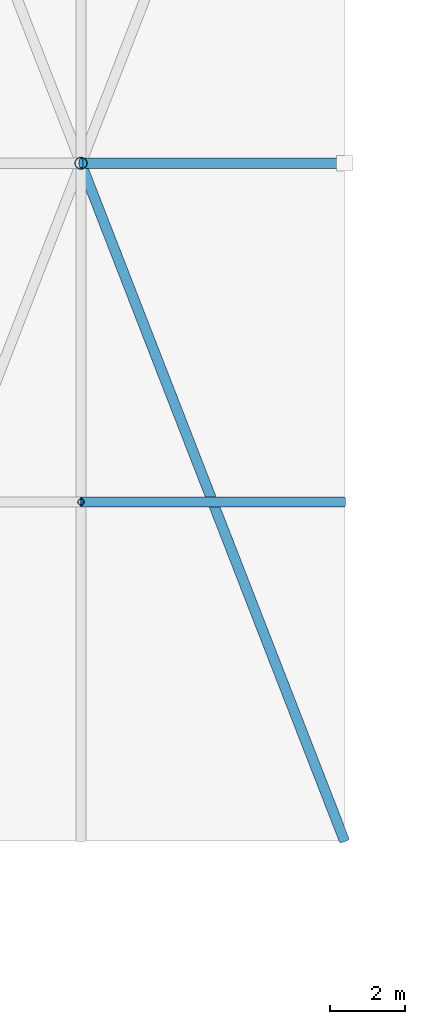
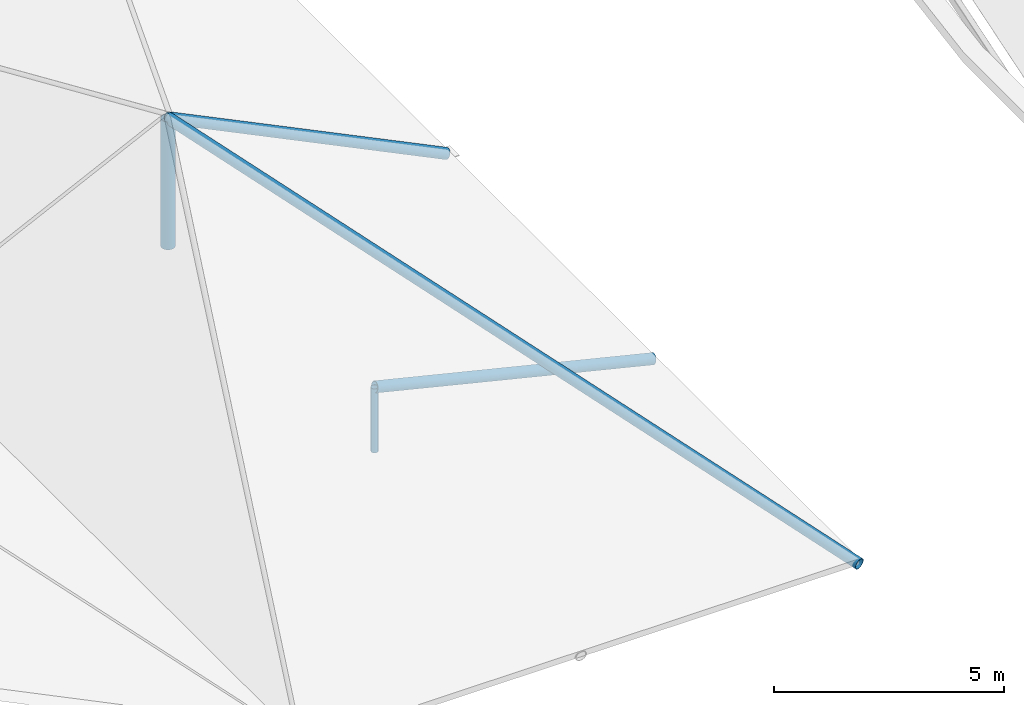
# One storey, part 7 of 93: 5 members.
"""IFC4 building model written with IfcOpenShell, lengths in metres."""

import ifcopenshell
import ifcopenshell.guid

model = None  # the IFC model being written
_history = None  # IfcOwnerHistory: only IFC2X3 demands one
_inside = {}  # id of a spatial element -> (the spatial element, [elements in it])
_under = {}  # id of a project, library or spatial element -> (it, [spatial elements below it])
_declared = {}  # id of a project -> (the project, [libraries it declares])
_typed = {}  # id of a type object -> (the type object, [elements of that type])
_made_of = {}  # id of a material, layer set ... -> (it, [elements and type objects made of it])


def new_model(schema):
    """Start an empty IFC model of exactly this schema.

    Asked for "IFC4X3", IfcOpenShell would pick the latest addendum, in which some entities
    have other attributes; the version numbers below select the first issue.
    IFC2X3 requires an IfcOwnerHistory on every rooted entity: one is made here for all.
    """
    global model, _history
    if schema == "IFC4X3":
        model = ifcopenshell.file(schema_version=(4, 3, 0, 0))
    else:
        model = ifcopenshell.file(schema=schema)
    _inside.clear()
    _under.clear()
    _declared.clear()
    _typed.clear()
    _made_of.clear()
    _history = None
    if model.schema == "IFC2X3":
        org = make("IfcOrganization", Name="unknown")
        user = make(
            "IfcPersonAndOrganization",
            ThePerson=make("IfcPerson", FamilyName="unknown"),
            TheOrganization=org,
        )
        app = make(
            "IfcApplication",
            ApplicationDeveloper=org,
            Version="unknown",
            ApplicationFullName="unknown",
            ApplicationIdentifier="unknown",
        )
        _history = make(
            "IfcOwnerHistory",
            OwningUser=user,
            OwningApplication=app,
            ChangeAction="ADDED",
            CreationDate=0,
        )
    return model


def make(cls, **values):
    """One entity of the class cls with the attributes given. An attribute that is None is left unset."""
    return model.create_entity(
        cls, **{name: value for name, value in values.items() if value is not None}
    )


def rooted(cls, **values):
    """An entity with a GlobalId (a new one), such as an element, a storey or a relation."""
    return make(cls, GlobalId=ifcopenshell.guid.new(), OwnerHistory=_history, **values)


def si_unit(unit_type, name, prefix=None):
    """IfcSIUnit, for example si_unit("LENGTHUNIT", "METRE", prefix="MILLI")."""
    return make("IfcSIUnit", UnitType=unit_type, Prefix=prefix, Name=name)


def derived_unit(unit_type, elements):
    """IfcDerivedUnit: a product of units, each with its exponent."""
    return make(
        "IfcDerivedUnit",
        Elements=[
            make("IfcDerivedUnitElement", Unit=unit, Exponent=power)
            for unit, power in elements
        ],
        UnitType=unit_type,
    )


def assignment(units):
    """IfcUnitAssignment: the units of a project."""
    return None if units is None else make("IfcUnitAssignment", Units=units)


def point(xyz):
    """IfcCartesianPoint."""
    return None if xyz is None else make("IfcCartesianPoint", Coordinates=xyz)


def direction(xyz):
    """IfcDirection."""
    return None if xyz is None else make("IfcDirection", DirectionRatios=xyz)


def frame(location, z_axis=None, x_axis=None):
    """IfcAxis2Placement3D, a coordinate frame: its origin and axes. An axis left out is left unset."""
    return make(
        "IfcAxis2Placement3D",
        Location=point(location),
        Axis=direction(z_axis),
        RefDirection=direction(x_axis),
    )


def frame_2d(location, x_axis=None):
    """IfcAxis2Placement2D, a coordinate frame in the plane: its origin and x axis."""
    return make(
        "IfcAxis2Placement2D", Location=point(location), RefDirection=direction(x_axis)
    )


def origin():
    """The frame at (0, 0, 0) with its axes left unset."""
    return frame((0.0, 0.0, 0.0))


def origin_2d_with_axis():
    """The frame at (0, 0) in the plane with the x axis (1, 0) written out."""
    return frame_2d((0.0, 0.0), x_axis=(1.0, 0.0))


def place(relative_to, where):
    """IfcLocalPlacement: puts the frame where relative to a parent placement (None: the world)."""
    return make(
        "IfcLocalPlacement", PlacementRelTo=relative_to, RelativePlacement=where
    )


def context(
    kind, dimensions, precision=None, world=None, true_north=None, identifier=None
):
    """IfcGeometricRepresentationContext, for example the 3D "Model" context."""
    return make(
        "IfcGeometricRepresentationContext",
        ContextIdentifier=identifier,
        ContextType=kind,
        CoordinateSpaceDimension=dimensions,
        Precision=precision,
        WorldCoordinateSystem=world,
        TrueNorth=true_north,
    )


def subcontext(parent, identifier, kind, view, scale=None):
    """IfcGeometricRepresentationSubContext, for example "Body" below "Model"."""
    return make(
        "IfcGeometricRepresentationSubContext",
        ContextIdentifier=identifier,
        ContextType=kind,
        ParentContext=parent,
        TargetScale=scale,
        TargetView=view,
    )


def project(units=None, contexts=None):
    """IfcProject with its units and contexts."""
    return rooted(
        "IfcProject",
        Name="project",
        RepresentationContexts=contexts,
        UnitsInContext=assignment(units),
    )


def spatial(cls, under=None, at=None, **own):
    """A site, building, storey or space (cls), placed at a placement, below another one or the project."""
    s = rooted(cls, ObjectPlacement=at, **own)
    if under is not None:
        _under.setdefault(under.id(), (under, []))[1].append(s)
    return s


def profile(cls, at=None, kind="AREA", **sizes):
    """A parametric profile (cls). Its sizes go by their IFC names, for example OverallWidth=200.0."""
    return make(cls, ProfileType=kind, Position=at, **sizes)


def hollow_circle(**sizes):
    """IfcCircleHollowProfileDef."""
    return profile("IfcCircleHollowProfileDef", **sizes)


def extrude(swept, where, along, depth):
    """IfcExtrudedAreaSolid: the profile swept, set in the frame where, extruded along a direction by depth."""
    return make(
        "IfcExtrudedAreaSolid",
        SweptArea=swept,
        Position=where,
        ExtrudedDirection=direction(along),
        Depth=depth,
    )


def shape(context_of_items, identifier, shape_type, items):
    """IfcShapeRepresentation: the items that make up one representation, for example the "Body"."""
    return make(
        "IfcShapeRepresentation",
        ContextOfItems=context_of_items,
        RepresentationIdentifier=identifier,
        RepresentationType=shape_type,
        Items=items,
    )


def material(Name=None, Category=None):
    """IfcMaterial."""
    return make("IfcMaterial", Name=Name, Category=Category)


def material_profile(
    of_material, cross_section, Name=None, Category=None, Priority=None
):
    """IfcMaterialProfile: a cross section and its material."""
    return make(
        "IfcMaterialProfile",
        Name=Name,
        Material=of_material,
        Profile=cross_section,
        Priority=Priority,
        Category=Category,
    )


def profile_set(profiles, Name=None, composite=None):
    """IfcMaterialProfileSet."""
    return make(
        "IfcMaterialProfileSet",
        Name=Name,
        MaterialProfiles=profiles,
        CompositeProfile=composite,
    )


def made_of(thing, what):
    """Note that an element or type object is made of a material, layer set ...; save() writes the relation."""
    if what is not None:
        _made_of.setdefault(what.id(), (what, []))[1].append(thing)
    return thing


def type_object(cls, material=None, **own):
    """A type object (cls), such as IfcWallType, which elements share."""
    return made_of(rooted(cls, **own), material)


def element(
    cls,
    number,
    at=None,
    inside=None,
    cuts=None,
    type_object=None,
    material=None,
    context=None,
    identifier="Body",
    shape_type=None,
    held_by="IfcProductDefinitionShape",
    body=None,
    shapes=None,
    **own,
):
    """One element of the class cls, such as IfcWall. Its Tag is "e" and its number.

    at: its placement. inside: the storey or other place that contains it. cuts: it is an
    opening in that element (IfcRelVoidsElement). A single representation is given by context,
    identifier, shape_type and body (its items); several are given by shapes. held_by: the class
    of the entity that holds the representations. save() writes the other relations.
    """
    e = rooted(cls, Tag="e%d" % number, ObjectPlacement=at, **own)
    if body is not None:
        shapes = [shape(context, identifier, shape_type, body)]
    if shapes is not None:
        e.Representation = make(held_by, Representations=shapes)
    if inside is not None:
        _inside.setdefault(inside.id(), (inside, []))[1].append(e)
    if cuts is not None:
        rooted(
            "IfcRelVoidsElement", RelatingBuildingElement=cuts, RelatedOpeningElement=e
        )
    if type_object is not None:
        _typed.setdefault(type_object.id(), (type_object, []))[1].append(e)
    return made_of(e, material)


def aggregate(whole, parts):
    """IfcRelAggregates: a whole, such as a stair, and the parts it consists of."""
    return rooted("IfcRelAggregates", RelatingObject=whole, RelatedObjects=parts)


def save(model, path):
    """Write the relations noted so far, then the file.

    IfcRelAggregates (storeys below a building ...), IfcRelContainedInSpatialStructure (elements
    in a storey), IfcRelDefinesByType, IfcRelAssociatesMaterial and IfcRelDeclares: one each for
    every whole, place, type object, material and project.
    """
    for whole, parts in _under.values():
        aggregate(whole, parts)
    for where, things in _inside.values():
        rooted(
            "IfcRelContainedInSpatialStructure",
            RelatedElements=things,
            RelatingStructure=where,
        )
    for kind, things in _typed.values():
        rooted("IfcRelDefinesByType", RelatedObjects=things, RelatingType=kind)
    for what, things in _made_of.values():
        rooted("IfcRelAssociatesMaterial", RelatedObjects=things, RelatingMaterial=what)
    for by, libraries in _declared.values():
        rooted("IfcRelDeclares", RelatingContext=by, RelatedDefinitions=libraries)
    model.write(path)


model = new_model("IFC4")

# Units and contexts
model_context = context("Model", 3, precision=1e-05, world=origin(), true_north=direction((0.0, 1.0)))
body_context = subcontext(model_context, "Body", "Model", "MODEL_VIEW")
ifc_project = project(units=[si_unit("LENGTHUNIT", "METRE"), si_unit("AREAUNIT", "SQUARE_METRE"), si_unit("VOLUMEUNIT", "CUBIC_METRE"), si_unit("PLANEANGLEUNIT", "RADIAN"), si_unit("MASSUNIT", "GRAM", prefix="KILO"), derived_unit("THERMALTRANSMITTANCEUNIT", [(si_unit("POWERUNIT", "WATT"), 1), (si_unit("LENGTHUNIT", "METRE"), -2), (si_unit("THERMODYNAMICTEMPERATUREUNIT", "KELVIN"), -1)])], contexts=[model_context])

# Site, building, storey
site_placement = place(None, origin())
site = spatial("IfcSite", under=ifc_project, at=site_placement, CompositionType="ELEMENT")
building_placement = place(site_placement, origin())
building = spatial("IfcBuilding", under=site, at=building_placement, Name="Cinnabar Yard Market Hall", CompositionType="ELEMENT")
storey_placement = place(building_placement, frame((0.0, 0.0, 23.800048828125)))
storey = spatial("IfcBuildingStorey", under=building, at=storey_placement, Name="ROOF", CompositionType="ELEMENT", Elevation=23.800048828125)

# Members
ifc_material_1 = material(Name="Spotted-gum glulam-clad steel Grade 350 (350 MPa)", Category="steel")
ifc_material_profile_1 = material_profile(ifc_material_1, hollow_circle(Radius=0.161865234375, WallThickness=0.009521484375, at=origin_2d_with_axis()), Name="323.9x9.5CHS")
ifc_profile_set_1 = profile_set([ifc_material_profile_1], Name="Spotted-gum glulam-clad steel Grade 350 (350 MPa)")
member_type_1 = type_object("IfcMemberType", Name="MB-ST01", PredefinedType="STRUT", material=ifc_profile_set_1)
member_1_placement = place(storey_placement, frame((45.0, 66.0, -15.400146484375), z_axis=(0.0, 0.0, 1.0), x_axis=(1.0, 0.0, 0.0)))
element("IfcMember", 1, at=member_1_placement, inside=storey, type_object=member_type_1, Name="Chhatri Cupola Post CH3", PredefinedType="STRUT", context=body_context, shape_type="SweptSolid", body=[
    extrude(hollow_circle(Radius=0.161865234375, WallThickness=0.009521484375, at=origin_2d_with_axis()), origin(), (0.0, 0.0, 1.0), 3.400146484375),
])
ifc_material_2 = material(Name="Cold-formed steel C350L0", Category="steel")
ifc_material_profile_2 = material_profile(ifc_material_2, hollow_circle(Radius=0.136474609375, WallThickness=0.00927734375, at=origin_2d_with_axis()), Name="273.1x9.3CHS")
ifc_profile_set_2 = profile_set([ifc_material_profile_2], Name="Cold-formed steel C350L0")
member_type_2 = type_object("IfcMemberType", Name="MB-TC02", PredefinedType="CHORD", material=ifc_profile_set_2)
member_2_placement = place(storey_placement, frame((52.0, 48.0, -15.400146484375), z_axis=(-0.356956605479, 0.917888414088, 0.173386392456), x_axis=(-0.932004671541, -0.362446261155, 0.0)))
element("IfcMember", 2, at=member_2_placement, inside=storey, type_object=member_type_2, Name="Chhatri Hip Rafter CH3-2", PredefinedType="CHORD", context=body_context, shape_type="SweptSolid", body=[
    extrude(hollow_circle(Radius=0.136474609375, WallThickness=0.00927734375, at=origin_2d_with_axis()), origin(), (0.0, 0.0, 1.0), 19.610107421875),
])
member_3_placement = place(storey_placement, frame((52.0, 66.0, -15.400146484375), z_axis=(-0.899500760931, 0.0, 0.436919192853), x_axis=(0.0, -1.0, 0.0)))
element("IfcMember", 3, at=member_3_placement, inside=storey, type_object=member_type_2, Name="Chhatri Hip Rafter CH3-8", PredefinedType="CHORD", context=body_context, shape_type="SweptSolid", body=[
    extrude(hollow_circle(Radius=0.136474609375, WallThickness=0.00927734375, at=origin_2d_with_axis()), origin(), (0.0, 0.0, 1.0), 7.781982421875),
])
member_4_placement = place(storey_placement, frame((45.0, 57.0, -13.699951171875), z_axis=(0.971747485636, 0.0, -0.23602293143), x_axis=(0.0, 1.0, 0.0)))
element("IfcMember", 4, at=member_4_placement, inside=storey, type_object=member_type_2, Name="Chhatri Rafter CH3-57B", PredefinedType="CHORD", context=body_context, shape_type="SweptSolid", body=[
    extrude(hollow_circle(Radius=0.136474609375, WallThickness=0.00927734375, at=origin_2d_with_axis()), origin(), (0.0, 0.0, 1.0), 7.20361328125),
])
ifc_material_profile_3 = material_profile(ifc_material_2, hollow_circle(Radius=0.084228515625, WallThickness=0.00634765625, at=origin_2d_with_axis()), Name="168.3x6.4CHS")
ifc_profile_set_3 = profile_set([ifc_material_profile_3], Name="Cold-formed steel C350L0")
member_type_3 = type_object("IfcMemberType", Name="MB-WB01", PredefinedType="STRUT", material=ifc_profile_set_3)
member_5_placement = place(storey_placement, frame((45.0, 57.0, -15.400146484375), z_axis=(0.0, 0.0, 1.0), x_axis=(1.0, 0.0, 0.0)))
element("IfcMember", 5, at=member_5_placement, inside=storey, type_object=member_type_3, Name="Chhatri Support Post CH3-57", PredefinedType="STRUT", context=body_context, shape_type="SweptSolid", body=[
    extrude(hollow_circle(Radius=0.084228515625, WallThickness=0.00634765625, at=origin_2d_with_axis()), origin(), (0.0, 0.0, 1.0), 1.7001953125),
])

save(model, "model.ifc")
